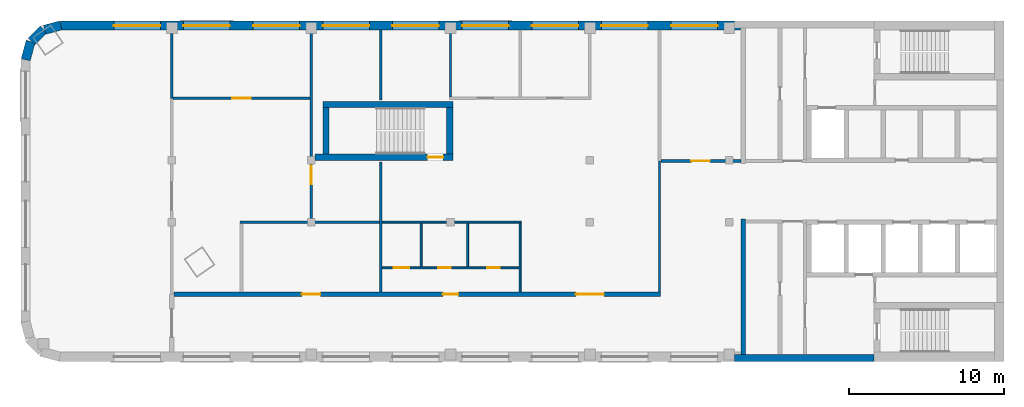
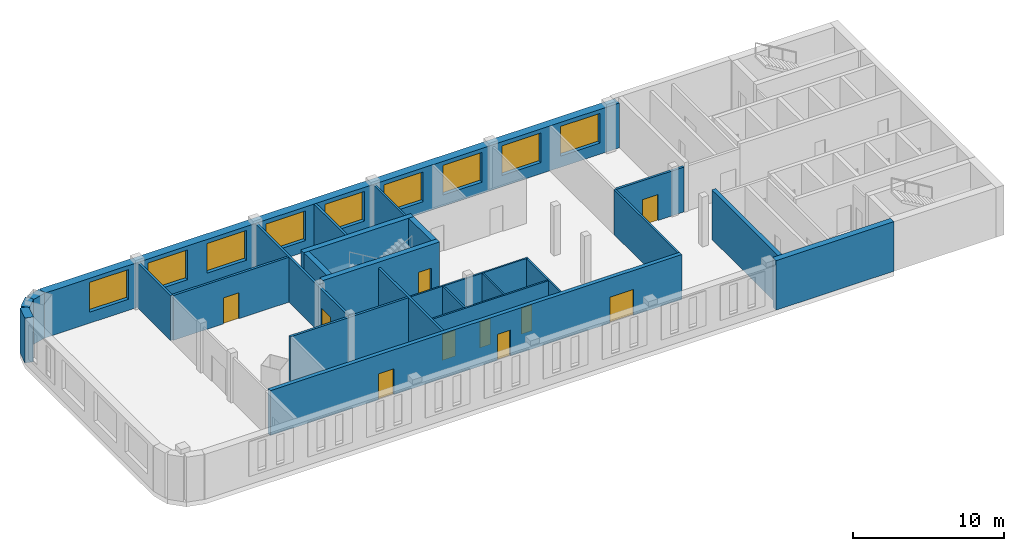
# One storey, part 2 of 5: 25 walls, 10 doors, 9 windows, 19 openings.
"""IFC4 building model written with IfcOpenShell, lengths in metres."""

import ifcopenshell
import ifcopenshell.guid

model = None  # the IFC model being written
_history = None  # IfcOwnerHistory: only IFC2X3 demands one
_inside = {}  # id of a spatial element -> (the spatial element, [elements in it])
_under = {}  # id of a project, library or spatial element -> (it, [spatial elements below it])
_declared = {}  # id of a project -> (the project, [libraries it declares])
_typed = {}  # id of a type object -> (the type object, [elements of that type])
_made_of = {}  # id of a material, layer set ... -> (it, [elements and type objects made of it])


def new_model(schema):
    """Start an empty IFC model of exactly this schema.

    Asked for "IFC4X3", IfcOpenShell would pick the latest addendum, in which some entities
    have other attributes; the version numbers below select the first issue.
    IFC2X3 requires an IfcOwnerHistory on every rooted entity: one is made here for all.
    """
    global model, _history
    if schema == "IFC4X3":
        model = ifcopenshell.file(schema_version=(4, 3, 0, 0))
    else:
        model = ifcopenshell.file(schema=schema)
    _inside.clear()
    _under.clear()
    _declared.clear()
    _typed.clear()
    _made_of.clear()
    _history = None
    if model.schema == "IFC2X3":
        org = make("IfcOrganization", Name="unknown")
        user = make(
            "IfcPersonAndOrganization",
            ThePerson=make("IfcPerson", FamilyName="unknown"),
            TheOrganization=org,
        )
        app = make(
            "IfcApplication",
            ApplicationDeveloper=org,
            Version="unknown",
            ApplicationFullName="unknown",
            ApplicationIdentifier="unknown",
        )
        _history = make(
            "IfcOwnerHistory",
            OwningUser=user,
            OwningApplication=app,
            ChangeAction="ADDED",
            CreationDate=0,
        )
    return model


def make(cls, **values):
    """One entity of the class cls with the attributes given. An attribute that is None is left unset."""
    return model.create_entity(
        cls, **{name: value for name, value in values.items() if value is not None}
    )


def rooted(cls, **values):
    """An entity with a GlobalId (a new one), such as an element, a storey or a relation."""
    return make(cls, GlobalId=ifcopenshell.guid.new(), OwnerHistory=_history, **values)


def si_unit(unit_type, name, prefix=None):
    """IfcSIUnit, for example si_unit("LENGTHUNIT", "METRE", prefix="MILLI")."""
    return make("IfcSIUnit", UnitType=unit_type, Prefix=prefix, Name=name)


def assignment(units):
    """IfcUnitAssignment: the units of a project."""
    return None if units is None else make("IfcUnitAssignment", Units=units)


def point(xyz):
    """IfcCartesianPoint."""
    return None if xyz is None else make("IfcCartesianPoint", Coordinates=xyz)


def direction(xyz):
    """IfcDirection."""
    return None if xyz is None else make("IfcDirection", DirectionRatios=xyz)


def frame(location, z_axis=None, x_axis=None):
    """IfcAxis2Placement3D, a coordinate frame: its origin and axes. An axis left out is left unset."""
    return make(
        "IfcAxis2Placement3D",
        Location=point(location),
        Axis=direction(z_axis),
        RefDirection=direction(x_axis),
    )


def frame_2d(location, x_axis=None):
    """IfcAxis2Placement2D, a coordinate frame in the plane: its origin and x axis."""
    return make(
        "IfcAxis2Placement2D", Location=point(location), RefDirection=direction(x_axis)
    )


def origin():
    """The frame at (0, 0, 0) with its axes left unset."""
    return frame((0.0, 0.0, 0.0))


def place(relative_to, where):
    """IfcLocalPlacement: puts the frame where relative to a parent placement (None: the world)."""
    return make(
        "IfcLocalPlacement", PlacementRelTo=relative_to, RelativePlacement=where
    )


def context(
    kind, dimensions, precision=None, world=None, true_north=None, identifier=None
):
    """IfcGeometricRepresentationContext, for example the 3D "Model" context."""
    return make(
        "IfcGeometricRepresentationContext",
        ContextIdentifier=identifier,
        ContextType=kind,
        CoordinateSpaceDimension=dimensions,
        Precision=precision,
        WorldCoordinateSystem=world,
        TrueNorth=true_north,
    )


def subcontext(parent, identifier, kind, view, scale=None):
    """IfcGeometricRepresentationSubContext, for example "Body" below "Model"."""
    return make(
        "IfcGeometricRepresentationSubContext",
        ContextIdentifier=identifier,
        ContextType=kind,
        ParentContext=parent,
        TargetScale=scale,
        TargetView=view,
    )


def project(units=None, contexts=None):
    """IfcProject with its units and contexts."""
    return rooted(
        "IfcProject",
        Name="project",
        RepresentationContexts=contexts,
        UnitsInContext=assignment(units),
    )


def spatial(cls, under=None, at=None, **own):
    """A site, building, storey or space (cls), placed at a placement, below another one or the project."""
    s = rooted(cls, ObjectPlacement=at, **own)
    if under is not None:
        _under.setdefault(under.id(), (under, []))[1].append(s)
    return s


def profile(cls, at=None, kind="AREA", **sizes):
    """A parametric profile (cls). Its sizes go by their IFC names, for example OverallWidth=200.0."""
    return make(cls, ProfileType=kind, Position=at, **sizes)


def rectangle(**sizes):
    """IfcRectangleProfileDef."""
    return profile("IfcRectangleProfileDef", **sizes)


def extrude(swept, where, along, depth):
    """IfcExtrudedAreaSolid: the profile swept, set in the frame where, extruded along a direction by depth."""
    return make(
        "IfcExtrudedAreaSolid",
        SweptArea=swept,
        Position=where,
        ExtrudedDirection=direction(along),
        Depth=depth,
    )


def shape(context_of_items, identifier, shape_type, items):
    """IfcShapeRepresentation: the items that make up one representation, for example the "Body"."""
    return make(
        "IfcShapeRepresentation",
        ContextOfItems=context_of_items,
        RepresentationIdentifier=identifier,
        RepresentationType=shape_type,
        Items=items,
    )


def material(Name=None, Category=None):
    """IfcMaterial."""
    return make("IfcMaterial", Name=Name, Category=Category)


def layer(
    of_material, thickness, ventilated=None, Name=None, Category=None, Priority=None
):
    """IfcMaterialLayer: one layer of a wall or slab, of a material (None: an air gap)."""
    return make(
        "IfcMaterialLayer",
        Material=of_material,
        LayerThickness=thickness,
        IsVentilated=ventilated,
        Name=Name,
        Category=Category,
        Priority=Priority,
    )


def layer_set(layers, Name=None):
    """IfcMaterialLayerSet."""
    return make("IfcMaterialLayerSet", MaterialLayers=layers, LayerSetName=Name)


def made_of(thing, what):
    """Note that an element or type object is made of a material, layer set ...; save() writes the relation."""
    if what is not None:
        _made_of.setdefault(what.id(), (what, []))[1].append(thing)
    return thing


def type_object(cls, material=None, **own):
    """A type object (cls), such as IfcWallType, which elements share."""
    return made_of(rooted(cls, **own), material)


def element(
    cls,
    number,
    at=None,
    inside=None,
    cuts=None,
    type_object=None,
    material=None,
    context=None,
    identifier="Body",
    shape_type=None,
    held_by="IfcProductDefinitionShape",
    body=None,
    shapes=None,
    **own,
):
    """One element of the class cls, such as IfcWall. Its Tag is "e" and its number.

    at: its placement. inside: the storey or other place that contains it. cuts: it is an
    opening in that element (IfcRelVoidsElement). A single representation is given by context,
    identifier, shape_type and body (its items); several are given by shapes. held_by: the class
    of the entity that holds the representations. save() writes the other relations.
    """
    e = rooted(cls, Tag="e%d" % number, ObjectPlacement=at, **own)
    if body is not None:
        shapes = [shape(context, identifier, shape_type, body)]
    if shapes is not None:
        e.Representation = make(held_by, Representations=shapes)
    if inside is not None:
        _inside.setdefault(inside.id(), (inside, []))[1].append(e)
    if cuts is not None:
        rooted(
            "IfcRelVoidsElement", RelatingBuildingElement=cuts, RelatedOpeningElement=e
        )
    if type_object is not None:
        _typed.setdefault(type_object.id(), (type_object, []))[1].append(e)
    return made_of(e, material)


def fill(opening, filler):
    """IfcRelFillsElement: the door or window that sits in an opening."""
    return rooted(
        "IfcRelFillsElement",
        RelatingOpeningElement=opening,
        RelatedBuildingElement=filler,
    )


def aggregate(whole, parts):
    """IfcRelAggregates: a whole, such as a stair, and the parts it consists of."""
    return rooted("IfcRelAggregates", RelatingObject=whole, RelatedObjects=parts)


def save(model, path):
    """Write the relations noted so far, then the file.

    IfcRelAggregates (storeys below a building ...), IfcRelContainedInSpatialStructure (elements
    in a storey), IfcRelDefinesByType, IfcRelAssociatesMaterial and IfcRelDeclares: one each for
    every whole, place, type object, material and project.
    """
    for whole, parts in _under.values():
        aggregate(whole, parts)
    for where, things in _inside.values():
        rooted(
            "IfcRelContainedInSpatialStructure",
            RelatedElements=things,
            RelatingStructure=where,
        )
    for kind, things in _typed.values():
        rooted("IfcRelDefinesByType", RelatedObjects=things, RelatingType=kind)
    for what, things in _made_of.values():
        rooted("IfcRelAssociatesMaterial", RelatedObjects=things, RelatingMaterial=what)
    for by, libraries in _declared.values():
        rooted("IfcRelDeclares", RelatingContext=by, RelatedDefinitions=libraries)
    model.write(path)


model = new_model("IFC4")

# Units and contexts
model_context = context("Model", 3, precision=1e-05, world=origin(), true_north=direction((0.0, 1.0)))
body_context = subcontext(model_context, "Body", "Model", "MODEL_VIEW")
ifc_project = project(units=[si_unit("LENGTHUNIT", "METRE"), si_unit("AREAUNIT", "SQUARE_METRE"), si_unit("VOLUMEUNIT", "CUBIC_METRE"), si_unit("PLANEANGLEUNIT", "RADIAN"), si_unit("MASSUNIT", "GRAM", prefix="KILO")], contexts=[model_context])

# Site, building, storey
site_placement = place(None, origin())
site = spatial("IfcSite", under=ifc_project, at=site_placement, CompositionType="ELEMENT")
building_placement = place(site_placement, origin())
building = spatial("IfcBuilding", under=site, at=building_placement, Name="Skarvind Civic Tower", CompositionType="ELEMENT")
storey_placement = place(building_placement, frame((0.0, 0.0, 273.5)))
storey = spatial("IfcBuildingStorey", under=building, at=storey_placement, Name="L65", CompositionType="ELEMENT", Elevation=273.5)

# Wall, opening, door
ifc_material_1 = material(Name="Acoustic gypsum board on steel studs", Category="steel")
ifc_layer_1 = layer(ifc_material_1, 0.175048828125)
ifc_layer_set_1 = layer_set([ifc_layer_1], Name="ACOUSTIC MEETING-ROOM PARTITION 175")
wall_type_1 = type_object("IfcWallType", Name="ACOUSTIC MEETING-ROOM PARTITION 175", PredefinedType="PARTITIONING", material=ifc_layer_set_1)
wall_1_placement = place(storey_placement, frame((63.162109375, 134.0, 0.0), z_axis=(0.0, 0.0, 1.0), x_axis=(-1.0, 0.0, 0.0)))
wall_1 = element("IfcWall", 1, at=wall_1_placement, inside=storey, type_object=wall_type_1, Name="Partition 65.004", PredefinedType="PARTITIONING", context=body_context, shape_type="SweptSolid", body=[
    extrude(rectangle(XDim=8.82421875, YDim=0.175048828125, at=frame_2d((4.412109375, 0.0))), origin(), (0.0, 0.0, 1.0), 3.625),
])
opening_1_placement = place(wall_1_placement, frame((3.81201171875, 0.0, 0.0)))
opening_1 = element("IfcOpeningElement", 2, at=opening_1_placement, cuts=wall_1, Name="Opening L65-D010", PredefinedType="OPENING", context=body_context, shape_type="SweptSolid", body=[
    extrude(rectangle(XDim=1.199951171875, YDim=2.10009765625, at=frame_2d((0.60009765625, 1.050048828125))), frame((0.0, 0.097412109375, 0.0), z_axis=(0.0, -1.0, 0.0), x_axis=(1.0, 0.0, 0.0)), (0.0, 0.0, 1.0), 0.195068359375),
])
ifc_material_2 = material(Name="Timber door leaf", Category="wood")
door_type_1 = type_object("IfcDoorType", Name="DOOR 1200X2100 DOUBLE TIMBER", OperationType="NOTDEFINED", PredefinedType="DOOR", material=ifc_material_2)
door_1_placement = place(opening_1_placement, origin())
door_1 = element("IfcDoor", 3, at=door_1_placement, inside=storey, type_object=door_type_1, Name="Door L65-D010", OperationType="DOUBLE_DOOR_SINGLE_SWING", OverallHeight=2.10009765625, OverallWidth=1.199951171875, PredefinedType="DOOR", context=body_context, shape_type="SweptSolid", body=[
    extrude(rectangle(XDim=1.199951171875, YDim=2.10009765625, at=frame_2d((0.60009765625, 1.050048828125))), frame((0.0, 0.02490234375, 0.0), z_axis=(0.0, -1.0, 0.0), x_axis=(1.0, 0.0, 0.0)), (0.0, 0.0, 1.0), 0.050048828125),
])
fill(opening_1, door_1)

# Walls
wall_2_placement = place(storey_placement, frame((54.25, 138.39990234375, 0.0), z_axis=(0.0, 0.0, 1.0), x_axis=(0.0, -1.0, 0.0)))
element("IfcWall", 4, at=wall_2_placement, inside=storey, type_object=wall_type_1, Name="Partition 65.005", PredefinedType="PARTITIONING", context=body_context, shape_type="SweptSolid", body=[
    extrude(rectangle(XDim=4.39990234375, YDim=0.175048828125, at=frame_2d((2.199951171875, 0.0))), origin(), (0.0, 0.0, 1.0), 3.625),
])
wall_3_placement = place(storey_placement, frame((58.662109375, 126.0, 0.0), z_axis=(0.0, 0.0, 1.0), x_axis=(1.0, 0.0, 0.0)))
element("IfcWall", 5, at=wall_3_placement, inside=storey, type_object=wall_type_1, Name="Partition 65.007", PredefinedType="PARTITIONING", context=body_context, shape_type="SweptSolid", body=[
    extrude(rectangle(XDim=9.0, YDim=0.175048828125, at=frame_2d((4.5, 0.0))), origin(), (0.0, 0.0, 1.0), 3.625),
])

# Wall, opening, door
wall_4_placement = place(storey_placement, frame((63.25, 126.087890625, 0.0), z_axis=(0.0, 0.0, 1.0), x_axis=(0.0, 1.0, 0.0)))
wall_4 = element("IfcWall", 6, at=wall_4_placement, inside=storey, type_object=wall_type_1, Name="Partition 65.008", PredefinedType="PARTITIONING", context=body_context, shape_type="SweptSolid", body=[
    extrude(rectangle(XDim=12.31201171875, YDim=0.175048828125, at=frame_2d((6.156005859375, 0.0))), origin(), (0.0, 0.0, 1.0), 3.625),
])
opening_2_placement = place(wall_4_placement, frame((2.347412109375, 0.0, 0.0)))
opening_2 = element("IfcOpeningElement", 7, at=opening_2_placement, cuts=wall_4, Name="Opening L65-D012", PredefinedType="OPENING", context=body_context, shape_type="SweptSolid", body=[
    extrude(rectangle(XDim=1.199951171875, YDim=2.10009765625, at=frame_2d((0.60009765625, 1.050048828125))), frame((0.0, 0.097412109375, 0.0), z_axis=(0.0, -1.0, 0.0), x_axis=(1.0, 0.0, 0.0)), (0.0, 0.0, 1.0), 0.195068359375),
])
door_2_placement = place(opening_2_placement, origin())
door_2 = element("IfcDoor", 8, at=door_2_placement, inside=storey, type_object=door_type_1, Name="Door L65-D012", OperationType="DOUBLE_DOOR_SINGLE_SWING", OverallHeight=2.10009765625, OverallWidth=1.199951171875, PredefinedType="DOOR", context=body_context, shape_type="SweptSolid", body=[
    extrude(rectangle(XDim=1.199951171875, YDim=2.10009765625, at=frame_2d((0.60009765625, 1.050048828125))), frame((0.0, 0.02490234375, 0.0), z_axis=(0.0, -1.0, 0.0), x_axis=(1.0, 0.0, 0.0)), (0.0, 0.0, 1.0), 0.050048828125),
])
fill(opening_2, door_2)

# Walls
wall_5_placement = place(storey_placement, frame((67.75, 121.5, 0.0), z_axis=(0.0, 0.0, 1.0), x_axis=(0.0, 1.0, 0.0)))
element("IfcWall", 9, at=wall_5_placement, inside=storey, type_object=wall_type_1, Name="Partition 65.009", PredefinedType="PARTITIONING", context=body_context, shape_type="SweptSolid", body=[
    extrude(rectangle(XDim=8.39990234375, YDim=0.175048828125, at=frame_2d((4.199951171875, 0.0))), origin(), (0.0, 0.0, 1.0), 3.625),
])
wall_6_placement = place(storey_placement, frame((67.75, 133.89990234375, 0.0), z_axis=(0.0, 0.0, 1.0), x_axis=(0.0, 1.0, 0.0)))
element("IfcWall", 10, at=wall_6_placement, inside=storey, type_object=wall_type_1, Name="Partition 65.012", PredefinedType="PARTITIONING", context=body_context, shape_type="SweptSolid", body=[
    extrude(rectangle(XDim=4.5, YDim=0.175048828125, at=frame_2d((2.25, 0.0))), origin(), (0.0, 0.0, 1.0), 3.625),
])

# Wall, opening, door
wall_7_placement = place(storey_placement, frame((85.837890625, 129.949951171875, 0.0), z_axis=(0.0, 0.0, 1.0), x_axis=(1.0, 0.0, 0.0)))
wall_7 = element("IfcWall", 11, at=wall_7_placement, inside=storey, type_object=wall_type_1, Name="Partition 65.022", PredefinedType="PARTITIONING", context=body_context, shape_type="SweptSolid", body=[
    extrude(rectangle(XDim=5.162109375, YDim=0.175048828125, at=frame_2d((2.5810546875, 0.0))), origin(), (0.0, 0.0, 1.0), 3.625),
])
opening_3_placement = place(wall_7_placement, frame((1.970947265625, 0.0, 0.0)))
opening_3 = element("IfcOpeningElement", 12, at=opening_3_placement, cuts=wall_7, Name="Opening L65-D001", PredefinedType="OPENING", context=body_context, shape_type="SweptSolid", body=[
    extrude(rectangle(XDim=1.199951171875, YDim=2.10009765625, at=frame_2d((0.60009765625, 1.050048828125))), frame((0.0, 0.097412109375, 0.0), z_axis=(0.0, -1.0, 0.0), x_axis=(1.0, 0.0, 0.0)), (0.0, 0.0, 1.0), 0.195068359375),
])
door_3_placement = place(opening_3_placement, origin())
door_3 = element("IfcDoor", 13, at=door_3_placement, inside=storey, type_object=door_type_1, Name="Door L65-D001", OperationType="DOUBLE_DOOR_SINGLE_SWING", OverallHeight=2.10009765625, OverallWidth=1.199951171875, PredefinedType="DOOR", context=body_context, shape_type="SweptSolid", body=[
    extrude(rectangle(XDim=1.199951171875, YDim=2.10009765625, at=frame_2d((0.60009765625, 1.050048828125))), frame((0.0, 0.02490234375, 0.0), z_axis=(0.0, -1.0, 0.0), x_axis=(1.0, 0.0, 0.0)), (0.0, 0.0, 1.0), 0.050048828125),
])
fill(opening_3, door_3)

# Wall, openings, doors
ifc_material_3 = material(Name="Fire-rated gypsum board on steel studs", Category="steel")
ifc_layer_2 = layer(ifc_material_3, 0.300048828125)
ifc_layer_set_2 = layer_set([ifc_layer_2], Name="CORRIDOR WALL 300")
wall_type_2 = type_object("IfcWallType", Name="CORRIDOR WALL 300", PredefinedType="PARTITIONING", material=ifc_layer_set_2)
wall_8_placement = place(storey_placement, frame((54.39990234375, 121.35009765625, 0.0), z_axis=(0.0, 0.0, 1.0), x_axis=(1.0, 0.0, 0.0)))
wall_8 = element("IfcWall", 14, at=wall_8_placement, inside=storey, type_object=wall_type_2, Name="Partition 65.002", PredefinedType="PARTITIONING", context=body_context, shape_type="SweptSolid", body=[
    extrude(rectangle(XDim=31.425048828125, YDim=0.300048828125, at=frame_2d((15.71240234375, 0.0))), origin(), (0.0, 0.0, 1.0), 3.625),
])
opening_4_placement = place(wall_8_placement, frame((17.35009765625, 0.0, 0.0)))
opening_4 = element("IfcOpeningElement", 15, at=opening_4_placement, cuts=wall_8, Name="Opening L65-D002", PredefinedType="OPENING", context=body_context, shape_type="SweptSolid", body=[
    extrude(rectangle(XDim=1.0, YDim=2.10009765625, at=frame_2d((0.5, 1.050048828125))), frame((0.0, 0.159912109375, 0.0), z_axis=(0.0, -1.0, 0.0), x_axis=(1.0, 0.0, 0.0)), (0.0, 0.0, 1.0), 0.320068359375),
])
opening_5_placement = place(wall_8_placement, frame((25.949951171875, 0.0, 0.0)))
opening_5 = element("IfcOpeningElement", 16, at=opening_5_placement, cuts=wall_8, Name="Opening L65-D008", PredefinedType="OPENING", context=body_context, shape_type="SweptSolid", body=[
    extrude(rectangle(XDim=1.800048828125, YDim=2.10009765625, at=frame_2d((0.89990234375, 1.050048828125))), frame((0.0, 0.159912109375, 0.0), z_axis=(0.0, -1.0, 0.0), x_axis=(1.0, 0.0, 0.0)), (0.0, 0.0, 1.0), 0.320068359375),
])
opening_6_placement = place(wall_8_placement, frame((8.25, 0.0, 0.0)))
opening_6 = element("IfcOpeningElement", 17, at=opening_6_placement, cuts=wall_8, Name="Opening L65-D009", PredefinedType="OPENING", context=body_context, shape_type="SweptSolid", body=[
    extrude(rectangle(XDim=1.199951171875, YDim=2.10009765625, at=frame_2d((0.60009765625, 1.050048828125))), frame((0.0, 0.159912109375, 0.0), z_axis=(0.0, -1.0, 0.0), x_axis=(1.0, 0.0, 0.0)), (0.0, 0.0, 1.0), 0.320068359375),
])
ifc_material_4 = material(Name="Fire-rated timber door leaf", Category="wood")
door_type_2 = type_object("IfcDoorType", Name="FD1 1000x2100", OperationType="NOTDEFINED", PredefinedType="DOOR", material=ifc_material_4)
door_4_placement = place(opening_4_placement, origin())
door_4 = element("IfcDoor", 18, at=door_4_placement, inside=storey, type_object=door_type_2, Name="Door L65-D002", OperationType="SINGLE_SWING_LEFT", OverallHeight=2.10009765625, OverallWidth=1.0, PredefinedType="DOOR", context=body_context, shape_type="SweptSolid", body=[
    extrude(rectangle(XDim=1.0, YDim=2.10009765625, at=frame_2d((0.5, 1.050048828125))), frame((0.0, 0.02490234375, 0.0), z_axis=(0.0, -1.0, 0.0), x_axis=(1.0, 0.0, 0.0)), (0.0, 0.0, 1.0), 0.050048828125),
])
fill(opening_4, door_4)
door_type_3 = type_object("IfcDoorType", Name="FD4 1800x2100", OperationType="NOTDEFINED", PredefinedType="DOOR", material=ifc_material_4)
door_5_placement = place(opening_5_placement, origin())
door_5 = element("IfcDoor", 19, at=door_5_placement, inside=storey, type_object=door_type_3, Name="Door L65-D008", OperationType="DOUBLE_DOOR_SINGLE_SWING", OverallHeight=2.10009765625, OverallWidth=1.800048828125, PredefinedType="DOOR", context=body_context, shape_type="SweptSolid", body=[
    extrude(rectangle(XDim=1.800048828125, YDim=2.10009765625, at=frame_2d((0.89990234375, 1.050048828125))), frame((0.0, 0.02490234375, 0.0), z_axis=(0.0, -1.0, 0.0), x_axis=(1.0, 0.0, 0.0)), (0.0, 0.0, 1.0), 0.050048828125),
])
fill(opening_5, door_5)
door_type_4 = type_object("IfcDoorType", Name="FD6 1200x2100 DOUBLE", OperationType="NOTDEFINED", PredefinedType="DOOR", material=ifc_material_4)
door_6_placement = place(opening_6_placement, origin())
door_6 = element("IfcDoor", 20, at=door_6_placement, inside=storey, type_object=door_type_4, Name="Door L65-D009", OperationType="DOUBLE_DOOR_SINGLE_SWING", OverallHeight=2.10009765625, OverallWidth=1.199951171875, PredefinedType="DOOR", context=body_context, shape_type="SweptSolid", body=[
    extrude(rectangle(XDim=1.199951171875, YDim=2.10009765625, at=frame_2d((0.60009765625, 1.050048828125))), frame((0.0, 0.02490234375, 0.0), z_axis=(0.0, -1.0, 0.0), x_axis=(1.0, 0.0, 0.0)), (0.0, 0.0, 1.0), 0.050048828125),
])
fill(opening_6, door_6)

# Wall
ifc_material_5 = material(Name="Concrete C60", Category="concrete")
ifc_layer_3 = layer(ifc_material_5, 0.300048828125)
ifc_layer_set_3 = layer_set([ifc_layer_3], Name="Core wall 300 C60")
wall_type_3 = type_object("IfcWallType", Name="Core wall 300 C60", PredefinedType="SHEAR", material=ifc_layer_set_3)
wall_9_placement = place(storey_placement, frame((91.14990234375, 126.199951171875, 0.0), z_axis=(0.0, 0.0, 1.0), x_axis=(0.0, -1.0, 0.0)))
element("IfcWall", 21, at=wall_9_placement, inside=storey, type_object=wall_type_3, Name="Core wall C1 north inner face L65", PredefinedType="SHEAR", context=body_context, shape_type="SweptSolid", body=[
    extrude(rectangle(XDim=8.75, YDim=0.300048828125, at=frame_2d((4.375, 0.0))), origin(), (0.0, 0.0, 1.0), 4.0),
])

# Wall, opening, door
ifc_layer_4 = layer(ifc_material_5, 0.39990234375)
ifc_layer_set_4 = layer_set([ifc_layer_4], Name="Core wall 400 C60")
wall_type_4 = type_object("IfcWallType", Name="Core wall 400 C60", PredefinedType="SHEAR", material=ifc_layer_set_4)
wall_10_placement = place(storey_placement, frame((63.5, 130.199951171875, 0.0), z_axis=(0.0, 0.0, 1.0), x_axis=(1.0, 0.0, 0.0)))
wall_10 = element("IfcWall", 22, at=wall_10_placement, inside=storey, type_object=wall_type_4, Name="Core wall CM inner L65", PredefinedType="SHEAR", context=body_context, shape_type="SweptSolid", body=[
    extrude(rectangle(XDim=8.89990234375, YDim=0.39990234375, at=frame_2d((4.449951171875, 0.0))), origin(), (0.0, 0.0, 1.0), 4.0),
])
opening_7_placement = place(wall_10_placement, frame((7.27490234375, 0.0, 0.0)))
opening_7 = element("IfcOpeningElement", 23, at=opening_7_placement, cuts=wall_10, Name="Opening D-L65-CM-01", PredefinedType="OPENING", context=body_context, shape_type="SweptSolid", body=[
    extrude(rectangle(XDim=1.0, YDim=2.10009765625, at=frame_2d((0.5, 1.050048828125))), frame((0.0, 0.2099609375, 0.0), z_axis=(0.0, -1.0, 0.0), x_axis=(1.0, 0.0, 0.0)), (0.0, 0.0, 1.0), 0.419921875),
])
ifc_material_6 = material(Name="Fire-rated steel door", Category="steel")
door_type_5 = type_object("IfcDoorType", Name="Fire door 1000", OperationType="NOTDEFINED", PredefinedType="DOOR", material=ifc_material_6)
door_7_placement = place(opening_7_placement, origin())
door_7 = element("IfcDoor", 24, at=door_7_placement, inside=storey, type_object=door_type_5, Name="Fire door", OperationType="SINGLE_SWING_LEFT", OverallHeight=2.10009765625, OverallWidth=1.0, PredefinedType="DOOR", context=body_context, shape_type="SweptSolid", body=[
    extrude(rectangle(XDim=1.0, YDim=2.10009765625, at=frame_2d((0.5, 1.050048828125))), frame((0.0, 0.02490234375, 0.0), z_axis=(0.0, -1.0, 0.0), x_axis=(1.0, 0.0, 0.0)), (0.0, 0.0, 1.0), 0.050048828125),
])
fill(opening_7, door_7)

# Walls
wall_11_placement = place(storey_placement, frame((64.0, 133.60009765625, 0.0), z_axis=(0.0, 0.0, 1.0), x_axis=(1.0, 0.0, 0.0)))
element("IfcWall", 25, at=wall_11_placement, inside=storey, type_object=wall_type_4, Name="Core wall CM outer L65", PredefinedType="SHEAR", context=body_context, shape_type="SweptSolid", body=[
    extrude(rectangle(XDim=8.39990234375, YDim=0.39990234375, at=frame_2d((4.199951171875, 0.0))), origin(), (0.0, 0.0, 1.0), 4.0),
])
for number, where, z_axis, x_axis, name in (
    (26, (64.199951171875, 130.39990234375, 0.0), (0.0, 0.0, 1.0), (0.0, 1.0, 0.0), "Core wall CM west L65"),
    (27, (72.199951171875, 130.39990234375, 0.0), (0.0, 0.0, 1.0), (0.0, 1.0, 0.0), "Core wall CM end L65"),
):
    element("IfcWall", number, at=place(storey_placement, frame(where, z_axis=z_axis, x_axis=x_axis)), inside=storey, type_object=wall_type_4, Name=name, PredefinedType="SHEAR", context=body_context, shape_type="SweptSolid", body=[
        extrude(rectangle(XDim=3.0, YDim=0.39990234375, at=frame_2d((1.5, 0.0))), origin(), (0.0, 0.0, 1.0), 4.0),
    ])
ifc_layer_5 = layer(ifc_material_5, 0.449951171875)
ifc_layer_set_5 = layer_set([ifc_layer_5], Name="Core wall 450 C60")
wall_type_5 = type_object("IfcWallType", Name="Core wall 450 C60", PredefinedType="SHEAR", material=ifc_layer_set_5)
wall_12_placement = place(storey_placement, frame((99.60009765625, 117.22509765625, 0.0), z_axis=(0.0, 0.0, 1.0), x_axis=(-1.0, 0.0, 0.0)))
element("IfcWall", 28, at=wall_12_placement, inside=storey, type_object=wall_type_5, Name="Core wall C1 north side L65", PredefinedType="SHEAR", context=body_context, shape_type="SweptSolid", body=[
    extrude(rectangle(XDim=9.0, YDim=0.449951171875, at=frame_2d((4.5, 0.0))), origin(), (0.0, 0.0, 1.0), 4.0),
])
ifc_material_7 = material(Name="Plasterboard partition on steel studs", Category="steel")
ifc_layer_6 = layer(ifc_material_7, 0.14990234375)
ifc_layer_set_6 = layer_set([ifc_layer_6], Name="PARTITION 150")
wall_type_6 = type_object("IfcWallType", Name="PARTITION 150", PredefinedType="PARTITIONING", material=ifc_layer_set_6)
wall_13_placement = place(storey_placement, frame((72.25, 134.074951171875, 0.0), z_axis=(0.0, 0.0, 1.0), x_axis=(0.0, 1.0, 0.0)))
element("IfcWall", 29, at=wall_13_placement, inside=storey, type_object=wall_type_6, Name="Partition 65.014", PredefinedType="PARTITIONING", context=body_context, shape_type="SweptSolid", body=[
    extrude(rectangle(XDim=4.324951171875, YDim=0.14990234375, at=frame_2d((2.16259765625, 0.0))), origin(), (0.0, 0.0, 1.0), 3.625),
])
wall_14_placement = place(storey_placement, frame((85.75, 121.5, 0.0), z_axis=(0.0, 0.0, 1.0), x_axis=(0.0, 1.0, 0.0)))
element("IfcWall", 30, at=wall_14_placement, inside=storey, type_object=wall_type_6, Name="Partition 65.020", PredefinedType="PARTITIONING", context=body_context, shape_type="SweptSolid", body=[
    extrude(rectangle(XDim=8.449951171875, YDim=0.14990234375, at=frame_2d((4.22509765625, 0.0))), origin(), (0.0, 0.0, 1.0), 3.625),
])

# Wall, openings, doors
ifc_material_8 = material(Name="Moisture-resistant gypsum board on steel studs", Category="steel")
ifc_layer_7 = layer(ifc_material_8, 0.125)
ifc_layer_set_7 = layer_set([ifc_layer_7], Name="WC PARTITION 125")
wall_type_7 = type_object("IfcWallType", Name="WC PARTITION 125", PredefinedType="PARTITIONING", material=ifc_layer_set_7)
wall_15_placement = place(storey_placement, frame((67.837890625, 123.050048828125, 0.0), z_axis=(0.0, 0.0, 1.0), x_axis=(1.0, 0.0, 0.0)))
wall_15 = element("IfcWall", 31, at=wall_15_placement, inside=storey, type_object=wall_type_7, Name="Partition 65.010", PredefinedType="PARTITIONING", context=body_context, shape_type="SweptSolid", body=[
    extrude(rectangle(XDim=8.85009765625, YDim=0.125, at=frame_2d((4.425048828125, 0.0))), origin(), (0.0, 0.0, 1.0), 3.625),
])
opening_8_placement = place(wall_15_placement, frame((6.791015625, 0.0, 0.0)))
opening_8 = element("IfcOpeningElement", 32, at=opening_8_placement, cuts=wall_15, Name="Opening L65-D003", PredefinedType="OPENING", context=body_context, shape_type="SweptSolid", body=[
    extrude(rectangle(XDim=0.800048828125, YDim=2.10009765625, at=frame_2d((0.39990234375, 1.050048828125))), frame((0.0, 0.072509765625, 0.0), z_axis=(0.0, -1.0, 0.0), x_axis=(1.0, 0.0, 0.0)), (0.0, 0.0, 1.0), 0.14501953125),
])
opening_9_placement = place(wall_15_placement, frame((3.612060546875, 0.0, 0.0)))
opening_9 = element("IfcOpeningElement", 33, at=opening_9_placement, cuts=wall_15, Name="Opening L65-D004", PredefinedType="OPENING", context=body_context, shape_type="SweptSolid", body=[
    extrude(rectangle(XDim=0.800048828125, YDim=2.10009765625, at=frame_2d((0.39990234375, 1.050048828125))), frame((0.0, 0.072509765625, 0.0), z_axis=(0.0, -1.0, 0.0), x_axis=(1.0, 0.0, 0.0)), (0.0, 0.0, 1.0), 0.14501953125),
])
opening_10_placement = place(wall_15_placement, frame((0.74609375, 0.0, 0.0)))
opening_10 = element("IfcOpeningElement", 34, at=opening_10_placement, cuts=wall_15, Name="Opening L65-D005", PredefinedType="OPENING", context=body_context, shape_type="SweptSolid", body=[
    extrude(rectangle(XDim=1.0, YDim=2.10009765625, at=frame_2d((0.5, 1.050048828125))), frame((0.0, 0.072509765625, 0.0), z_axis=(0.0, -1.0, 0.0), x_axis=(1.0, 0.0, 0.0)), (0.0, 0.0, 1.0), 0.14501953125),
])
door_type_6 = type_object("IfcDoorType", Name="D1 1000x2100", OperationType="NOTDEFINED", PredefinedType="DOOR", material=ifc_material_2)
door_8_placement = place(opening_10_placement, origin())
door_8 = element("IfcDoor", 35, at=door_8_placement, inside=storey, type_object=door_type_6, Name="Door L65-D005", OperationType="SINGLE_SWING_LEFT", OverallHeight=2.10009765625, OverallWidth=1.0, PredefinedType="DOOR", context=body_context, shape_type="SweptSolid", body=[
    extrude(rectangle(XDim=1.0, YDim=2.10009765625, at=frame_2d((0.5, 1.050048828125))), frame((0.0, 0.02490234375, 0.0), z_axis=(0.0, -1.0, 0.0), x_axis=(1.0, 0.0, 0.0)), (0.0, 0.0, 1.0), 0.050048828125),
])
fill(opening_10, door_8)
door_type_7 = type_object("IfcDoorType", Name="DOOR 800X2100 TIMBER", OperationType="NOTDEFINED", PredefinedType="DOOR", material=ifc_material_2)
door_9_placement = place(opening_8_placement, origin())
door_9 = element("IfcDoor", 36, at=door_9_placement, inside=storey, type_object=door_type_7, Name="Door L65-D003", OperationType="SINGLE_SWING_RIGHT", OverallHeight=2.10009765625, OverallWidth=0.800048828125, PredefinedType="DOOR", context=body_context, shape_type="SweptSolid", body=[
    extrude(rectangle(XDim=0.800048828125, YDim=2.10009765625, at=frame_2d((0.39990234375, 1.050048828125))), frame((0.0, 0.02490234375, 0.0), z_axis=(0.0, -1.0, 0.0), x_axis=(1.0, 0.0, 0.0)), (0.0, 0.0, 1.0), 0.050048828125),
])
fill(opening_8, door_9)
door_10_placement = place(opening_9_placement, origin())
door_10 = element("IfcDoor", 37, at=door_10_placement, inside=storey, type_object=door_type_7, Name="Door L65-D004", OperationType="SINGLE_SWING_LEFT", OverallHeight=2.10009765625, OverallWidth=0.800048828125, PredefinedType="DOOR", context=body_context, shape_type="SweptSolid", body=[
    extrude(rectangle(XDim=0.800048828125, YDim=2.10009765625, at=frame_2d((0.39990234375, 1.050048828125))), frame((0.0, 0.02490234375, 0.0), z_axis=(0.0, -1.0, 0.0), x_axis=(1.0, 0.0, 0.0)), (0.0, 0.0, 1.0), 0.050048828125),
])
fill(opening_9, door_10)

# Walls
wall_16_placement = place(storey_placement, frame((67.837890625, 126.0, 0.0), z_axis=(0.0, 0.0, 1.0), x_axis=(1.0, 0.0, 0.0)))
element("IfcWall", 38, at=wall_16_placement, inside=storey, type_object=wall_type_7, Name="Partition 65.011", PredefinedType="PARTITIONING", context=body_context, shape_type="SweptSolid", body=[
    extrude(rectangle(XDim=8.97412109375, YDim=0.125, at=frame_2d((4.487060546875, 0.0))), origin(), (0.0, 0.0, 1.0), 3.625),
])
for number, where, z_axis, x_axis, name in (
    (39, (70.35009765625, 125.93798828125, 0.0), (0.0, 0.0, 1.0), (0.0, -1.0, 0.0), "Partition 65.013"),
    (40, (73.35009765625, 125.93798828125, 0.0), (0.0, 0.0, 1.0), (0.0, -1.0, 0.0), "Partition 65.016"),
):
    element("IfcWall", number, at=place(storey_placement, frame(where, z_axis=z_axis, x_axis=x_axis)), inside=storey, type_object=wall_type_7, Name=name, PredefinedType="PARTITIONING", context=body_context, shape_type="SweptSolid", body=[
        extrude(rectangle(XDim=2.825927734375, YDim=0.125, at=frame_2d((1.4130859375, 0.0))), origin(), (0.0, 0.0, 1.0), 3.625),
    ])
wall_17_placement = place(storey_placement, frame((76.75, 125.93798828125, 0.0), z_axis=(0.0, 0.0, 1.0), x_axis=(0.0, -1.0, 0.0)))
element("IfcWall", 41, at=wall_17_placement, inside=storey, type_object=wall_type_7, Name="Partition 65.017", PredefinedType="PARTITIONING", context=body_context, shape_type="SweptSolid", body=[
    extrude(rectangle(XDim=4.43798828125, YDim=0.125, at=frame_2d((2.218994140625, 0.0))), origin(), (0.0, 0.0, 1.0), 3.625),
])

# Wall, openings, windows
ifc_material_9 = material(Name="Standing-seam zinc cladding on insulated backing")
ifc_layer_8 = layer(ifc_material_9, 0.60009765625)
ifc_layer_set_8 = layer_set([ifc_layer_8], Name="WX2 ZINC-CLAD FACADE WALL 600")
wall_type_8 = type_object("IfcWallType", Name="WX2 ZINC-CLAD FACADE WALL 600", PredefinedType="SOLIDWALL", material=ifc_layer_set_8)
wall_18_placement = place(storey_placement, frame((47.070068359375, 138.699951171875, 0.0), z_axis=(0.0, 0.0, 1.0), x_axis=(1.0, 0.0, 0.0)))
wall_18 = element("IfcWall", 42, at=wall_18_placement, inside=storey, type_object=wall_type_8, Name="ZINC-CLAD FACADE WALL", PredefinedType="SOLIDWALL", context=body_context, shape_type="SweptSolid", body=[
    extrude(rectangle(XDim=43.909912109375, YDim=0.60009765625, at=frame_2d((21.955078125, 0.0))), origin(), (0.0, 0.0, 1.0), 3.625),
])
opening_11_placement = place(wall_18_placement, frame((3.429931640625, 0.0, 0.89990234375)))
opening_11 = element("IfcOpeningElement", 43, at=opening_11_placement, cuts=wall_18, Name="Opening WN4", PredefinedType="OPENING", context=body_context, shape_type="SweptSolid", body=[
    extrude(rectangle(XDim=3.0, YDim=2.39990234375, at=frame_2d((1.5, 1.199951171875))), frame((0.0, 0.31005859375, 0.0), z_axis=(0.0, -1.0, 0.0), x_axis=(1.0, 0.0, 0.0)), (0.0, 0.0, 1.0), 0.6201171875),
])
opening_12_placement = place(wall_18_placement, frame((7.929931640625, 0.0, 0.89990234375)))
opening_12 = element("IfcOpeningElement", 44, at=opening_12_placement, cuts=wall_18, Name="Opening WN4", PredefinedType="OPENING", context=body_context, shape_type="SweptSolid", body=[
    extrude(rectangle(XDim=3.0, YDim=2.39990234375, at=frame_2d((1.5, 1.199951171875))), frame((0.0, 0.31005859375, 0.0), z_axis=(0.0, -1.0, 0.0), x_axis=(1.0, 0.0, 0.0)), (0.0, 0.0, 1.0), 0.6201171875),
])
opening_13_placement = place(wall_18_placement, frame((12.429931640625, 0.0, 0.89990234375)))
opening_13 = element("IfcOpeningElement", 45, at=opening_13_placement, cuts=wall_18, Name="Opening WN4", PredefinedType="OPENING", context=body_context, shape_type="SweptSolid", body=[
    extrude(rectangle(XDim=3.0, YDim=2.39990234375, at=frame_2d((1.5, 1.199951171875))), frame((0.0, 0.31005859375, 0.0), z_axis=(0.0, -1.0, 0.0), x_axis=(1.0, 0.0, 0.0)), (0.0, 0.0, 1.0), 0.6201171875),
])
opening_14_placement = place(wall_18_placement, frame((16.929931640625, 0.0, 0.89990234375)))
opening_14 = element("IfcOpeningElement", 46, at=opening_14_placement, cuts=wall_18, Name="Opening WN4", PredefinedType="OPENING", context=body_context, shape_type="SweptSolid", body=[
    extrude(rectangle(XDim=3.0, YDim=2.39990234375, at=frame_2d((1.5, 1.199951171875))), frame((0.0, 0.31005859375, 0.0), z_axis=(0.0, -1.0, 0.0), x_axis=(1.0, 0.0, 0.0)), (0.0, 0.0, 1.0), 0.6201171875),
])
opening_15_placement = place(wall_18_placement, frame((21.429931640625, 0.0, 0.89990234375)))
opening_15 = element("IfcOpeningElement", 47, at=opening_15_placement, cuts=wall_18, Name="Opening WN4", PredefinedType="OPENING", context=body_context, shape_type="SweptSolid", body=[
    extrude(rectangle(XDim=3.0, YDim=2.39990234375, at=frame_2d((1.5, 1.199951171875))), frame((0.0, 0.31005859375, 0.0), z_axis=(0.0, -1.0, 0.0), x_axis=(1.0, 0.0, 0.0)), (0.0, 0.0, 1.0), 0.6201171875),
])
opening_16_placement = place(wall_18_placement, frame((25.929931640625, 0.0, 0.89990234375)))
opening_16 = element("IfcOpeningElement", 48, at=opening_16_placement, cuts=wall_18, Name="Opening WN4", PredefinedType="OPENING", context=body_context, shape_type="SweptSolid", body=[
    extrude(rectangle(XDim=3.0, YDim=2.39990234375, at=frame_2d((1.5, 1.199951171875))), frame((0.0, 0.31005859375, 0.0), z_axis=(0.0, -1.0, 0.0), x_axis=(1.0, 0.0, 0.0)), (0.0, 0.0, 1.0), 0.6201171875),
])
opening_17_placement = place(wall_18_placement, frame((30.429931640625, 0.0, 0.89990234375)))
opening_17 = element("IfcOpeningElement", 49, at=opening_17_placement, cuts=wall_18, Name="Opening WN4", PredefinedType="OPENING", context=body_context, shape_type="SweptSolid", body=[
    extrude(rectangle(XDim=3.0, YDim=2.39990234375, at=frame_2d((1.5, 1.199951171875))), frame((0.0, 0.31005859375, 0.0), z_axis=(0.0, -1.0, 0.0), x_axis=(1.0, 0.0, 0.0)), (0.0, 0.0, 1.0), 0.6201171875),
])
opening_18_placement = place(wall_18_placement, frame((34.929931640625, 0.0, 0.89990234375)))
opening_18 = element("IfcOpeningElement", 50, at=opening_18_placement, cuts=wall_18, Name="Opening WN4", PredefinedType="OPENING", context=body_context, shape_type="SweptSolid", body=[
    extrude(rectangle(XDim=3.0, YDim=2.39990234375, at=frame_2d((1.5, 1.199951171875))), frame((0.0, 0.31005859375, 0.0), z_axis=(0.0, -1.0, 0.0), x_axis=(1.0, 0.0, 0.0)), (0.0, 0.0, 1.0), 0.6201171875),
])
opening_19_placement = place(wall_18_placement, frame((39.429931640625, 0.0, 0.89990234375)))
opening_19 = element("IfcOpeningElement", 51, at=opening_19_placement, cuts=wall_18, Name="Opening WN4", PredefinedType="OPENING", context=body_context, shape_type="SweptSolid", body=[
    extrude(rectangle(XDim=3.0, YDim=2.39990234375, at=frame_2d((1.5, 1.199951171875))), frame((0.0, 0.31005859375, 0.0), z_axis=(0.0, -1.0, 0.0), x_axis=(1.0, 0.0, 0.0)), (0.0, 0.0, 1.0), 0.6201171875),
])
ifc_material_10 = material(Name="Timber frame, double glazing, copper-lined reveal", Category="wood")
window_type = type_object("IfcWindowType", Name="WN4 COPPER-LINED WINDOW 3000 x 2400", PartitioningType="SINGLE_PANEL", PredefinedType="WINDOW", material=ifc_material_10)
window_1_placement = place(opening_11_placement, origin())
window_1 = element("IfcWindow", 52, at=window_1_placement, inside=storey, type_object=window_type, Name="WN4 WINDOW", OverallHeight=2.39990234375, OverallWidth=3.0, PartitioningType="SINGLE_PANEL", PredefinedType="WINDOW", context=body_context, shape_type="SweptSolid", body=[
    extrude(rectangle(XDim=3.0, YDim=2.39990234375, at=frame_2d((1.5, 1.199951171875))), frame((0.0, 0.030029296875, 0.0), z_axis=(0.0, -1.0, 0.0), x_axis=(1.0, 0.0, 0.0)), (0.0, 0.0, 1.0), 0.06005859375),
])
fill(opening_11, window_1)
window_2_placement = place(opening_12_placement, origin())
window_2 = element("IfcWindow", 53, at=window_2_placement, inside=storey, type_object=window_type, Name="WN4 WINDOW", OverallHeight=2.39990234375, OverallWidth=3.0, PartitioningType="SINGLE_PANEL", PredefinedType="WINDOW", context=body_context, shape_type="SweptSolid", body=[
    extrude(rectangle(XDim=3.0, YDim=2.39990234375, at=frame_2d((1.5, 1.199951171875))), frame((0.0, 0.030029296875, 0.0), z_axis=(0.0, -1.0, 0.0), x_axis=(1.0, 0.0, 0.0)), (0.0, 0.0, 1.0), 0.06005859375),
])
fill(opening_12, window_2)
window_3_placement = place(opening_13_placement, origin())
window_3 = element("IfcWindow", 54, at=window_3_placement, inside=storey, type_object=window_type, Name="WN4 WINDOW", OverallHeight=2.39990234375, OverallWidth=3.0, PartitioningType="SINGLE_PANEL", PredefinedType="WINDOW", context=body_context, shape_type="SweptSolid", body=[
    extrude(rectangle(XDim=3.0, YDim=2.39990234375, at=frame_2d((1.5, 1.199951171875))), frame((0.0, 0.030029296875, 0.0), z_axis=(0.0, -1.0, 0.0), x_axis=(1.0, 0.0, 0.0)), (0.0, 0.0, 1.0), 0.06005859375),
])
fill(opening_13, window_3)
window_4_placement = place(opening_14_placement, origin())
window_4 = element("IfcWindow", 55, at=window_4_placement, inside=storey, type_object=window_type, Name="WN4 WINDOW", OverallHeight=2.39990234375, OverallWidth=3.0, PartitioningType="SINGLE_PANEL", PredefinedType="WINDOW", context=body_context, shape_type="SweptSolid", body=[
    extrude(rectangle(XDim=3.0, YDim=2.39990234375, at=frame_2d((1.5, 1.199951171875))), frame((0.0, 0.030029296875, 0.0), z_axis=(0.0, -1.0, 0.0), x_axis=(1.0, 0.0, 0.0)), (0.0, 0.0, 1.0), 0.06005859375),
])
fill(opening_14, window_4)
window_5_placement = place(opening_15_placement, origin())
window_5 = element("IfcWindow", 56, at=window_5_placement, inside=storey, type_object=window_type, Name="WN4 WINDOW", OverallHeight=2.39990234375, OverallWidth=3.0, PartitioningType="SINGLE_PANEL", PredefinedType="WINDOW", context=body_context, shape_type="SweptSolid", body=[
    extrude(rectangle(XDim=3.0, YDim=2.39990234375, at=frame_2d((1.5, 1.199951171875))), frame((0.0, 0.030029296875, 0.0), z_axis=(0.0, -1.0, 0.0), x_axis=(1.0, 0.0, 0.0)), (0.0, 0.0, 1.0), 0.06005859375),
])
fill(opening_15, window_5)
window_6_placement = place(opening_16_placement, origin())
window_6 = element("IfcWindow", 57, at=window_6_placement, inside=storey, type_object=window_type, Name="WN4 WINDOW", OverallHeight=2.39990234375, OverallWidth=3.0, PartitioningType="SINGLE_PANEL", PredefinedType="WINDOW", context=body_context, shape_type="SweptSolid", body=[
    extrude(rectangle(XDim=3.0, YDim=2.39990234375, at=frame_2d((1.5, 1.199951171875))), frame((0.0, 0.030029296875, 0.0), z_axis=(0.0, -1.0, 0.0), x_axis=(1.0, 0.0, 0.0)), (0.0, 0.0, 1.0), 0.06005859375),
])
fill(opening_16, window_6)
window_7_placement = place(opening_17_placement, origin())
window_7 = element("IfcWindow", 58, at=window_7_placement, inside=storey, type_object=window_type, Name="WN4 WINDOW", OverallHeight=2.39990234375, OverallWidth=3.0, PartitioningType="SINGLE_PANEL", PredefinedType="WINDOW", context=body_context, shape_type="SweptSolid", body=[
    extrude(rectangle(XDim=3.0, YDim=2.39990234375, at=frame_2d((1.5, 1.199951171875))), frame((0.0, 0.030029296875, 0.0), z_axis=(0.0, -1.0, 0.0), x_axis=(1.0, 0.0, 0.0)), (0.0, 0.0, 1.0), 0.06005859375),
])
fill(opening_17, window_7)
window_8_placement = place(opening_18_placement, origin())
window_8 = element("IfcWindow", 59, at=window_8_placement, inside=storey, type_object=window_type, Name="WN4 WINDOW", OverallHeight=2.39990234375, OverallWidth=3.0, PartitioningType="SINGLE_PANEL", PredefinedType="WINDOW", context=body_context, shape_type="SweptSolid", body=[
    extrude(rectangle(XDim=3.0, YDim=2.39990234375, at=frame_2d((1.5, 1.199951171875))), frame((0.0, 0.030029296875, 0.0), z_axis=(0.0, -1.0, 0.0), x_axis=(1.0, 0.0, 0.0)), (0.0, 0.0, 1.0), 0.06005859375),
])
fill(opening_18, window_8)
window_9_placement = place(opening_19_placement, origin())
window_9 = element("IfcWindow", 60, at=window_9_placement, inside=storey, type_object=window_type, Name="WN4 WINDOW", OverallHeight=2.39990234375, OverallWidth=3.0, PartitioningType="SINGLE_PANEL", PredefinedType="WINDOW", context=body_context, shape_type="SweptSolid", body=[
    extrude(rectangle(XDim=3.0, YDim=2.39990234375, at=frame_2d((1.5, 1.199951171875))), frame((0.0, 0.030029296875, 0.0), z_axis=(0.0, -1.0, 0.0), x_axis=(1.0, 0.0, 0.0)), (0.0, 0.0, 1.0), 0.06005859375),
])
fill(opening_19, window_9)

# Walls
wall_19_placement = place(storey_placement, frame((46.030517578125, 138.4296875, 0.0), z_axis=(0.0, 0.0, 1.0), x_axis=(0.965939004864, 0.25876985698, 0.0)))
element("IfcWall", 61, at=wall_19_placement, inside=storey, type_object=wall_type_8, Name="ZINC-CLAD FACADE WALL", PredefinedType="SOLIDWALL", context=body_context, shape_type="SweptSolid", body=[
    extrude(rectangle(XDim=1.083984375, YDim=0.60009765625, at=frame_2d((0.5419921875, 0.0))), origin(), (0.0, 0.0, 1.0), 3.625),
])
wall_20_placement = place(storey_placement, frame((45.195556640625, 137.686279296875, 0.0), z_axis=(0.0, 0.0, 1.0), x_axis=(0.707106781187, 0.707106781187, 0.0)))
element("IfcWall", 62, at=wall_20_placement, inside=storey, type_object=wall_type_8, Name="ZINC-CLAD FACADE WALL", PredefinedType="SOLIDWALL", context=body_context, shape_type="SweptSolid", body=[
    extrude(rectangle(XDim=1.084228515625, YDim=0.60009765625, at=frame_2d((0.5419921875, 0.0))), origin(), (0.0, 0.0, 1.0), 3.625),
])
wall_21_placement = place(storey_placement, frame((44.807861328125, 136.489990234375, 0.0), z_axis=(0.0, 0.0, 1.0), x_axis=(0.258878975098, 0.965909766102, 0.0)))
element("IfcWall", 63, at=wall_21_placement, inside=storey, type_object=wall_type_8, Name="ZINC-CLAD FACADE WALL", PredefinedType="SOLIDWALL", context=body_context, shape_type="SweptSolid", body=[
    extrude(rectangle(XDim=1.22412109375, YDim=0.60009765625, at=frame_2d((0.612060546875, 0.0))), origin(), (0.0, 0.0, 1.0), 3.625),
])

save(model, "model.ifc")
